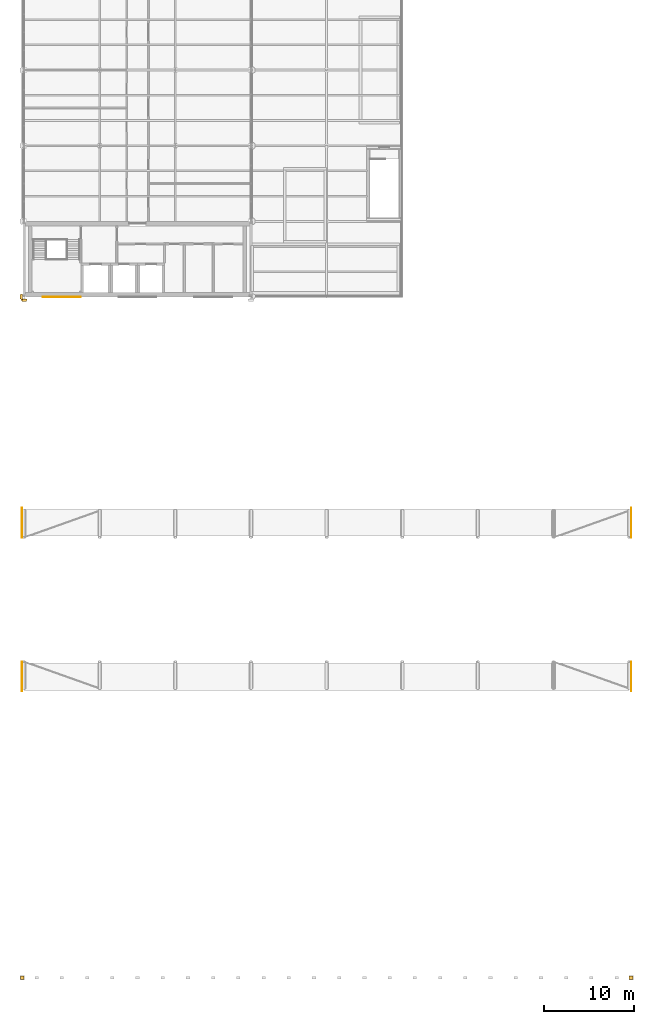
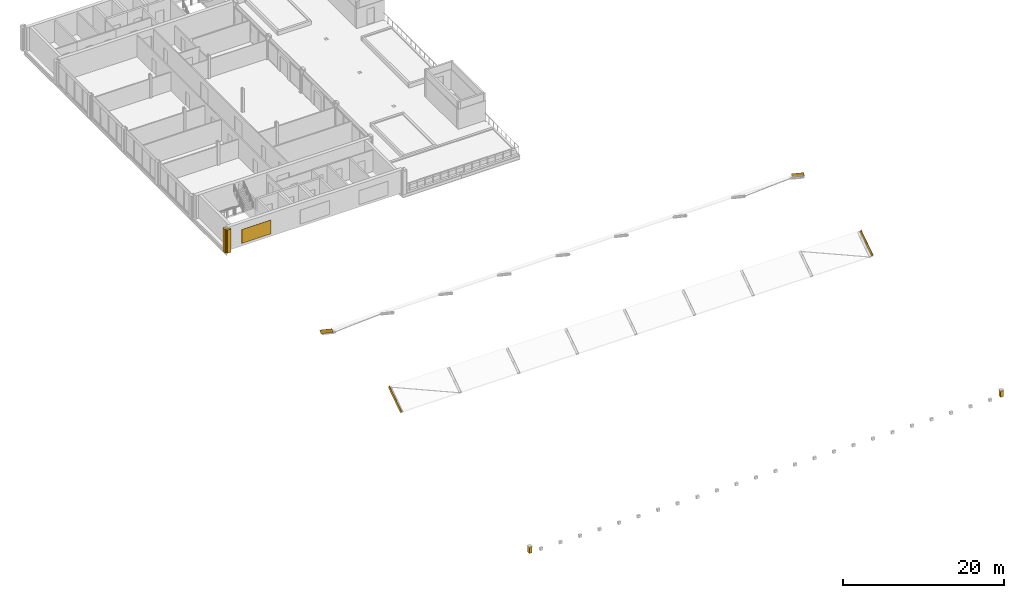
# One storey, part 27 of 32: 9 coverings.
"""IFC4 building model written with IfcOpenShell, lengths in metres."""

from ifc_helpers import new_model, si_unit, direction, frame, origin, origin_2d, place, context, subcontext, project, spatial, polyline, rectangle, outline, extrude, material, layer, layer_set, type_object, element, save


model = new_model("IFC4")

# Units and contexts
model_context = context("Model", 3, precision=1e-05, world=origin(), true_north=direction((0.0, 1.0)))
body_context = subcontext(model_context, "Body", "Model", "MODEL_VIEW")
ifc_project = project(units=[si_unit("LENGTHUNIT", "METRE"), si_unit("AREAUNIT", "SQUARE_METRE"), si_unit("VOLUMEUNIT", "CUBIC_METRE"), si_unit("PLANEANGLEUNIT", "RADIAN"), si_unit("MASSUNIT", "GRAM", prefix="KILO")], contexts=[model_context])

# Site, building, storey
site_placement = place(None, origin())
site = spatial("IfcSite", under=ifc_project, at=site_placement, CompositionType="ELEMENT")
building_placement = place(site_placement, origin())
building = spatial("IfcBuilding", under=site, at=building_placement, Name="Catenary Quay Ferry Terminal", CompositionType="ELEMENT")
storey_placement = place(building_placement, frame((0.0, 0.0, 17.10009765625)))
storey = spatial("IfcBuildingStorey", under=building, at=storey_placement, Name="L03", CompositionType="ELEMENT", Elevation=17.10009765625)

# Coverings
ifc_material_1 = material(Name="Pale glazed ceramic tile")
ifc_layer_1 = layer(ifc_material_1, 0.0400390625)
ifc_layer_set_1 = layer_set([ifc_layer_1], Name="AR1")
covering_type_1 = type_object("IfcCoveringType", Name="AR1", PredefinedType="CLADDING", material=ifc_layer_set_1)
covering_1_placement = place(storey_placement, frame((24.996826171875, 116.1259765625, 1.889892578125), z_axis=(1.0, 0.0, 0.0), x_axis=(0.0, 0.831065718787, 0.55617422725)))
element("IfcCovering", 1, at=covering_1_placement, inside=storey, type_object=covering_type_1, Name="Archivolt band, departure vault gable", PredefinedType="CLADDING", context=body_context, shape_type="SweptSolid", body=[
    extrude(outline(polyline([(0.0, 0.0), (3.590727895419399, 0.0), (3.64280505517264, 0.5001001661439268), (-0.040824623282324723, 0.4999939951058847), (0.0, 0.0)])), origin(), (0.0, 0.0, -1.0), 0.0400390625),
])
covering_2_placement = place(storey_placement, frame((24.996826171875, 132.889892578125, 3.886962890625), z_axis=(1.0, 0.0, 0.0), x_axis=(0.0, 0.831065718787, -0.55617422725)))
element("IfcCovering", 2, at=covering_2_placement, inside=storey, type_object=covering_type_1, Name="Archivolt band, departure vault gable", PredefinedType="CLADDING", context=body_context, shape_type="SweptSolid", body=[
    extrude(outline(polyline([(0.0, 0.0), (3.590727895419399, 0.0), (3.6315525187017235, 0.4999939951058847), (-0.052077159753240565, 0.5001001661439268), (0.0, 0.0)])), origin(), (0.0, 0.0, -1.0), 0.0400390625),
])
covering_3_placement = place(storey_placement, frame((92.603271484375, 115.81396484375, 2.28271484375), z_axis=(-1.0, 0.0, 0.0), x_axis=(0.0, 0.831049688167, 0.556198180325)))
element("IfcCovering", 3, at=covering_3_placement, inside=storey, type_object=covering_type_1, Name="Archivolt band, departure vault gable", PredefinedType="CLADDING", context=body_context, shape_type="SweptSolid", body=[
    extrude(outline(polyline([(0.0, 0.0), (3.683629679985016, -2.220446049250313e-16), (3.6315381061677416, 0.5000986649476153), (0.04081021223980669, 0.49999517156171525), (0.0, 0.0)])), origin(), (0.0, 0.0, -1.0), 0.0400390625),
])
covering_4_placement = place(storey_placement, frame((92.603271484375, 133.124755859375, 4.33154296875), z_axis=(-1.0, 0.0, 0.0), x_axis=(0.0, 0.831049688167, -0.556198180325)))
element("IfcCovering", 4, at=covering_4_placement, inside=storey, type_object=covering_type_1, Name="Archivolt band, departure vault gable", PredefinedType="CLADDING", context=body_context, shape_type="SweptSolid", body=[
    extrude(outline(polyline([(0.0, 0.0), (3.683629679985016, 2.220446049250313e-16), (3.642819467745209, 0.49999517156171525), (0.05209157381727428, 0.5000986649476153), (0.0, 0.0)])), origin(), (0.0, 0.0, -1.0), 0.0400390625),
])
ifc_material_2 = material(Name="Ceramic tile")
ifc_layer_2 = layer(ifc_material_2, 0.0400390625)
ifc_layer_set_2 = layer_set([ifc_layer_2], Name="CL2")
covering_type_2 = type_object("IfcCoveringType", Name="CL2", PredefinedType="CLADDING", material=ifc_layer_set_2)
covering_5_placement = place(storey_placement, origin())
element("IfcCovering", 5, at=covering_5_placement, inside=storey, type_object=covering_type_2, Name="Ceramic pier casing", PredefinedType="CLADDING", context=body_context, shape_type="SweptSolid", body=[
    extrude(outline(polyline([(25.050048828125, 159.949951171875), (24.8701171875, 159.949951171875), (24.8701171875, 159.85009765625), (24.75, 159.85009765625), (24.75, 159.35009765625), (24.8701171875, 159.35009765625), (24.8701171875, 159.25), (25.050048828125, 159.25), (25.050048828125, 159.949951171875)])), origin(), (0.0, 0.0, 1.0), 3.5),
])
covering_6_placement = place(storey_placement, origin())
element("IfcCovering", 6, at=covering_6_placement, inside=storey, type_object=covering_type_2, Name="Ceramic pier casing", PredefinedType="CLADDING", context=body_context, shape_type="SweptSolid", body=[
    extrude(outline(polyline([(24.85009765625, 159.39990234375), (24.85009765625, 159.219970703125), (24.949951171875, 159.219970703125), (24.949951171875, 159.10009765625), (25.449951171875, 159.10009765625), (25.449951171875, 159.219970703125), (25.550048828125, 159.219970703125), (25.550048828125, 159.39990234375), (24.85009765625, 159.39990234375)])), origin(), (0.0, 0.0, 1.0), 3.5),
])
ifc_material_3 = material(Name="Ceramic tile")
ifc_layer_3 = layer(ifc_material_3, 0.034912109375)
ifc_layer_set_3 = layer_set([ifc_layer_3], Name="CL5")
covering_type_3 = type_object("IfcCoveringType", Name="CL5", PredefinedType="CLADDING", material=ifc_layer_set_3)
covering_7_placement = place(storey_placement, frame((29.39990234375, 159.58251953125, 0.39990234375), z_axis=(0.0, 0.0, 1.0), x_axis=(1.0, 0.0, 0.0)))
element("IfcCovering", 7, at=covering_7_placement, inside=storey, type_object=covering_type_3, Name="Core h159.6 cladding CV357", PredefinedType="CLADDING", context=body_context, shape_type="SweptSolid", body=[
    extrude(rectangle(XDim=4.199951171875, YDim=0.034912109375, at=origin_2d()), origin(), (0.0, 0.0, 1.0), 2.10009765625),
])
ifc_material_4 = material(Name="Ceramic tile")
ifc_layer_4 = layer(ifc_material_4, 0.39990234375)
ifc_layer_set_4 = layer_set([ifc_layer_4], Name="FN1")
covering_type_4 = type_object("IfcCoveringType", Name="FN1", PredefinedType="CLADDING", material=ifc_layer_set_4)
for number, where, z_axis, x_axis, name in (
    (8, (24.996826171875, 84.0, 0.201416015625), (0.0, 0.0, 1.0), (1.0, 0.0, 0.0), "Glazed ceramic finial, shaft"),
    (9, (92.603271484375, 84.0, 0.201416015625), (0.0, 0.0, 1.0), (1.0, 0.0, 0.0), "Glazed ceramic finial, shaft"),
):
    element("IfcCovering", number, at=place(storey_placement, frame(where, z_axis=z_axis, x_axis=x_axis)), inside=storey, type_object=covering_type_4, Name=name, PredefinedType="CLADDING", context=body_context, shape_type="SweptSolid", body=[
        extrude(rectangle(XDim=0.39990234375, YDim=0.39990234375, at=origin_2d()), origin(), (0.0, 0.0, 1.0), 0.89990234375),
    ])

save(model, "model.ifc")
